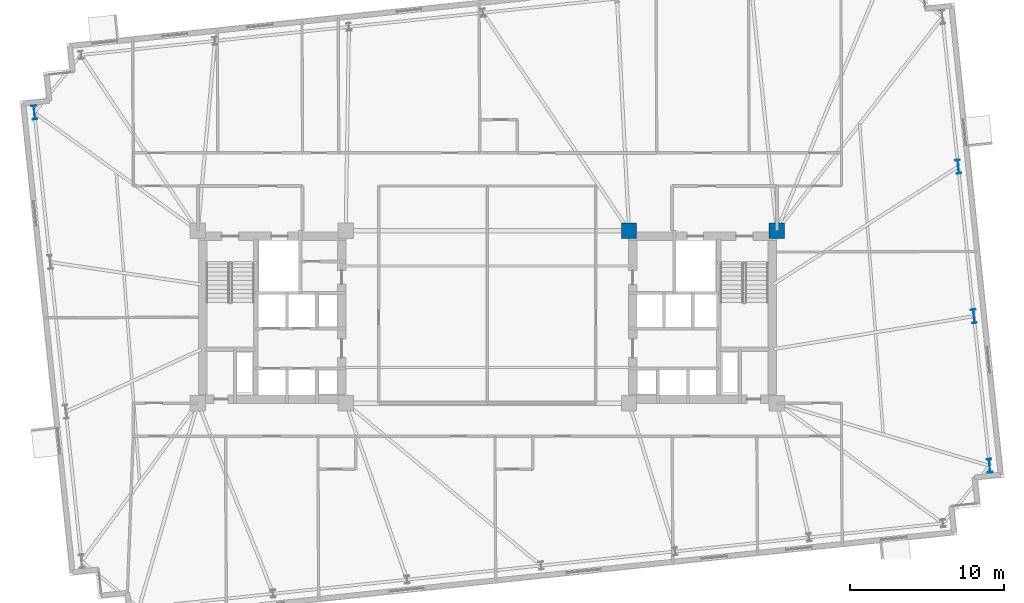
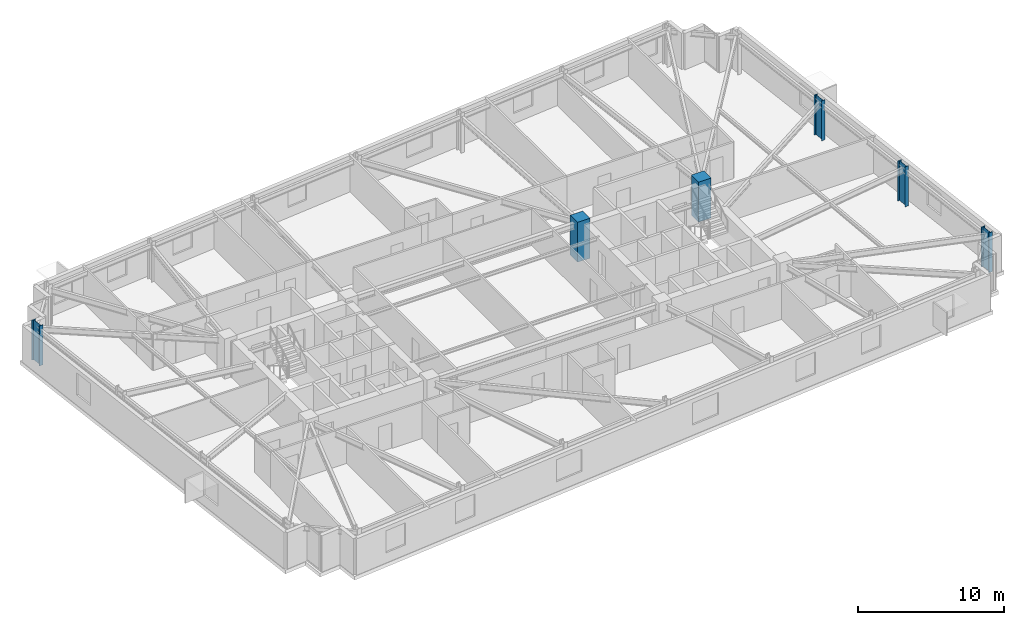
# One storey, part 2 of 17: 6 columns.
"""IFC4 building model written with IfcOpenShell, lengths in metres."""

from ifc_helpers import new_model, si_unit, direction, frame, origin, origin_2d, place, context, subcontext, project, spatial, rectangle, i_section, extrude, material, material_profile, profile_set, type_object, element, save


model = new_model("IFC4")

# Units and contexts
model_context = context("Model", 3, precision=1e-05, world=origin(), true_north=direction((0.0, 1.0)))
body_context = subcontext(model_context, "Body", "Model", "MODEL_VIEW")
ifc_project = project(units=[si_unit("LENGTHUNIT", "METRE"), si_unit("AREAUNIT", "SQUARE_METRE"), si_unit("VOLUMEUNIT", "CUBIC_METRE"), si_unit("PLANEANGLEUNIT", "RADIAN"), si_unit("MASSUNIT", "GRAM", prefix="KILO")], contexts=[model_context])

# Site, building, storey
site_placement = place(None, origin())
site = spatial("IfcSite", under=ifc_project, at=site_placement, CompositionType="ELEMENT")
building_placement = place(site_placement, origin())
building = spatial("IfcBuilding", under=site, at=building_placement, Name="Qobustan Lattice House", CompositionType="ELEMENT")
storey_placement = place(building_placement, frame((0.0, 0.0, 105.800048828125)))
storey = spatial("IfcBuildingStorey", under=building, at=storey_placement, Name="L29", CompositionType="ELEMENT", Elevation=105.800048828125)

# Columns
ifc_material_1 = material(Name="Concrete C60/75", Category="concrete")
ifc_material_profile_1 = material_profile(ifc_material_1, rectangle(XDim=1.0, YDim=1.0, at=origin_2d()), Name="RC1000x1000")
ifc_profile_set_1 = profile_set([ifc_material_profile_1], Name="Concrete C60/75")
column_type_1 = type_object("IfcColumnType", Name="COL-RC-1000", PredefinedType="COLUMN", material=ifc_profile_set_1)
for number, where, z_axis, x_axis, name in (
    (1, (9.199951171875, 5.60009765625, 0.0), (0.0, 0.0, 1.0), (1.0, 0.0, 0.0), "L29 core mega-column CE-NW"),
    (2, (18.800048828125, 5.60009765625, 0.0), (0.0, 0.0, 1.0), (1.0, 0.0, 0.0), "L29 core mega-column CE-NE"),
):
    element("IfcColumn", number, at=place(storey_placement, frame(where, z_axis=z_axis, x_axis=x_axis)), inside=storey, type_object=column_type_1, Name=name, PredefinedType="COLUMN", context=body_context, shape_type="SweptSolid", body=[
        extrude(rectangle(XDim=1.0, YDim=1.0, at=origin_2d()), origin(), (0.0, 0.0, 1.0), 3.349853515625),
    ])
ifc_material_2 = material(Name="Steel S355", Category="steel")
ifc_material_profile_2 = material_profile(ifc_material_2, i_section(OverallWidth=0.300048828125, OverallDepth=0.89990234375, WebThickness=0.0185546875, FlangeThickness=0.034912109375, FilletRadius=0.030029296875, at=origin_2d()), Name="HEB900")
ifc_profile_set_2 = profile_set([ifc_material_profile_2], Name="Steel S355")
column_type_2 = type_object("IfcColumnType", Name="COL-ST-HEB900", PredefinedType="COLUMN", material=ifc_profile_set_2)
for number, where, z_axis, x_axis, name in (
    (3, (32.618896484375, -9.67041015625, 0.0), (0.0, 0.0, 1.0), (0.994521895368, 0.104528463268, 0.0), "L29 B2 perimeter column E1"),
    (4, (31.597900390625, 0.042724609375, 0.0), (0.0, 0.0, 1.0), (0.994521895368, 0.104528463268, 0.0), "L29 B2 perimeter column E2"),
    (5, (30.5771484375, 9.755859375, 0.0), (0.0, 0.0, 1.0), (0.994521895368, 0.104528463268, 0.0), "L29 B2 perimeter column E3"),
    (6, (-29.4189453125, 13.2705078125, 0.0), (0.0, 0.0, 1.0), (0.994521895368, 0.104528463268, 0.0), "L29 B2 perimeter column W1"),
):
    element("IfcColumn", number, at=place(storey_placement, frame(where, z_axis=z_axis, x_axis=x_axis)), inside=storey, type_object=column_type_2, Name=name, PredefinedType="COLUMN", context=body_context, shape_type="SweptSolid", body=[
        extrude(i_section(OverallWidth=0.300048828125, OverallDepth=0.89990234375, WebThickness=0.0185546875, FlangeThickness=0.034912109375, FilletRadius=0.030029296875, at=origin_2d()), origin(), (0.0, 0.0, 1.0), 3.349853515625),
    ])

save(model, "model.ifc")
